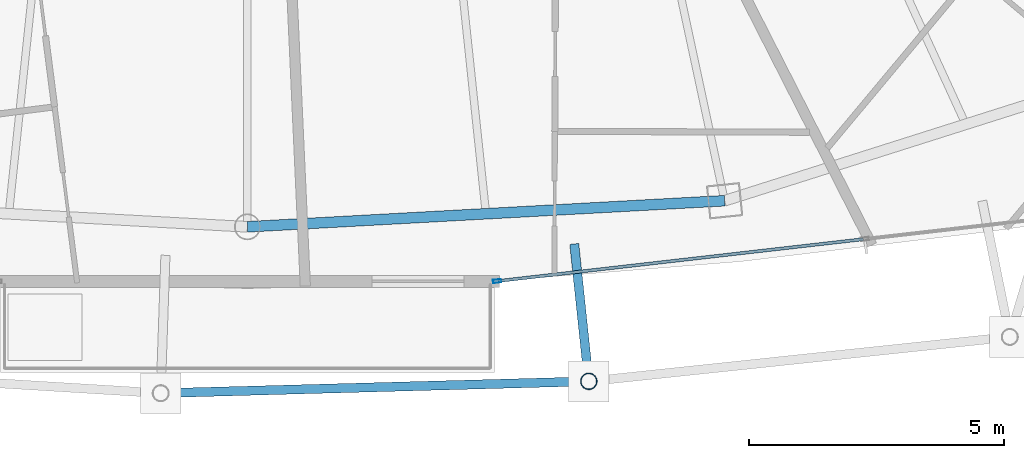
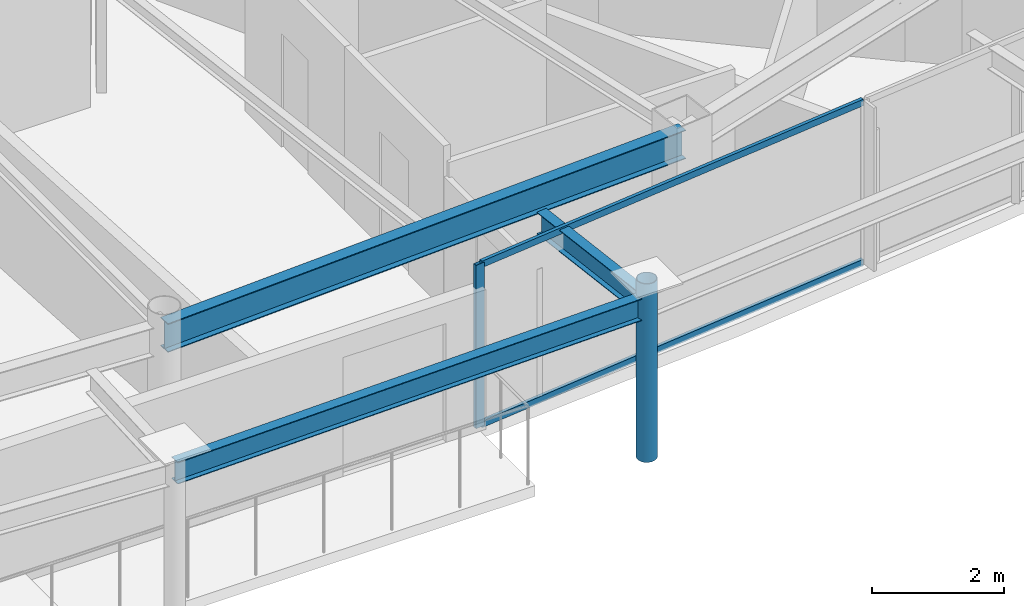
# One storey, part 8 of 30: 4 members, 3 beams, 1 element without a shape of its own.
"""IFC4 building model written with IfcOpenShell, lengths in metres."""

import ifcopenshell
import ifcopenshell.guid

model = None  # the IFC model being written
_history = None  # IfcOwnerHistory: only IFC2X3 demands one
_inside = {}  # id of a spatial element -> (the spatial element, [elements in it])
_under = {}  # id of a project, library or spatial element -> (it, [spatial elements below it])
_declared = {}  # id of a project -> (the project, [libraries it declares])
_typed = {}  # id of a type object -> (the type object, [elements of that type])
_made_of = {}  # id of a material, layer set ... -> (it, [elements and type objects made of it])


def new_model(schema):
    """Start an empty IFC model of exactly this schema.

    Asked for "IFC4X3", IfcOpenShell would pick the latest addendum, in which some entities
    have other attributes; the version numbers below select the first issue.
    IFC2X3 requires an IfcOwnerHistory on every rooted entity: one is made here for all.
    """
    global model, _history
    if schema == "IFC4X3":
        model = ifcopenshell.file(schema_version=(4, 3, 0, 0))
    else:
        model = ifcopenshell.file(schema=schema)
    _inside.clear()
    _under.clear()
    _declared.clear()
    _typed.clear()
    _made_of.clear()
    _history = None
    if model.schema == "IFC2X3":
        org = make("IfcOrganization", Name="unknown")
        user = make(
            "IfcPersonAndOrganization",
            ThePerson=make("IfcPerson", FamilyName="unknown"),
            TheOrganization=org,
        )
        app = make(
            "IfcApplication",
            ApplicationDeveloper=org,
            Version="unknown",
            ApplicationFullName="unknown",
            ApplicationIdentifier="unknown",
        )
        _history = make(
            "IfcOwnerHistory",
            OwningUser=user,
            OwningApplication=app,
            ChangeAction="ADDED",
            CreationDate=0,
        )
    return model


def make(cls, **values):
    """One entity of the class cls with the attributes given. An attribute that is None is left unset."""
    return model.create_entity(
        cls, **{name: value for name, value in values.items() if value is not None}
    )


def rooted(cls, **values):
    """An entity with a GlobalId (a new one), such as an element, a storey or a relation."""
    return make(cls, GlobalId=ifcopenshell.guid.new(), OwnerHistory=_history, **values)


def si_unit(unit_type, name, prefix=None):
    """IfcSIUnit, for example si_unit("LENGTHUNIT", "METRE", prefix="MILLI")."""
    return make("IfcSIUnit", UnitType=unit_type, Prefix=prefix, Name=name)


def assignment(units):
    """IfcUnitAssignment: the units of a project."""
    return None if units is None else make("IfcUnitAssignment", Units=units)


def point(xyz):
    """IfcCartesianPoint."""
    return None if xyz is None else make("IfcCartesianPoint", Coordinates=xyz)


def direction(xyz):
    """IfcDirection."""
    return None if xyz is None else make("IfcDirection", DirectionRatios=xyz)


def frame(location, z_axis=None, x_axis=None):
    """IfcAxis2Placement3D, a coordinate frame: its origin and axes. An axis left out is left unset."""
    return make(
        "IfcAxis2Placement3D",
        Location=point(location),
        Axis=direction(z_axis),
        RefDirection=direction(x_axis),
    )


def frame_2d(location, x_axis=None):
    """IfcAxis2Placement2D, a coordinate frame in the plane: its origin and x axis."""
    return make(
        "IfcAxis2Placement2D", Location=point(location), RefDirection=direction(x_axis)
    )


def origin():
    """The frame at (0, 0, 0) with its axes left unset."""
    return frame((0.0, 0.0, 0.0))


def origin_2d():
    """The frame at (0, 0) in the plane with its x axis left unset."""
    return frame_2d((0.0, 0.0))


def place(relative_to, where):
    """IfcLocalPlacement: puts the frame where relative to a parent placement (None: the world)."""
    return make(
        "IfcLocalPlacement", PlacementRelTo=relative_to, RelativePlacement=where
    )


def context(
    kind, dimensions, precision=None, world=None, true_north=None, identifier=None
):
    """IfcGeometricRepresentationContext, for example the 3D "Model" context."""
    return make(
        "IfcGeometricRepresentationContext",
        ContextIdentifier=identifier,
        ContextType=kind,
        CoordinateSpaceDimension=dimensions,
        Precision=precision,
        WorldCoordinateSystem=world,
        TrueNorth=true_north,
    )


def subcontext(parent, identifier, kind, view, scale=None):
    """IfcGeometricRepresentationSubContext, for example "Body" below "Model"."""
    return make(
        "IfcGeometricRepresentationSubContext",
        ContextIdentifier=identifier,
        ContextType=kind,
        ParentContext=parent,
        TargetScale=scale,
        TargetView=view,
    )


def project(units=None, contexts=None):
    """IfcProject with its units and contexts."""
    return rooted(
        "IfcProject",
        Name="project",
        RepresentationContexts=contexts,
        UnitsInContext=assignment(units),
    )


def spatial(cls, under=None, at=None, **own):
    """A site, building, storey or space (cls), placed at a placement, below another one or the project."""
    s = rooted(cls, ObjectPlacement=at, **own)
    if under is not None:
        _under.setdefault(under.id(), (under, []))[1].append(s)
    return s


def profile(cls, at=None, kind="AREA", **sizes):
    """A parametric profile (cls). Its sizes go by their IFC names, for example OverallWidth=200.0."""
    return make(cls, ProfileType=kind, Position=at, **sizes)


def hollow_rectangle(**sizes):
    """IfcRectangleHollowProfileDef."""
    return profile("IfcRectangleHollowProfileDef", **sizes)


def hollow_circle(**sizes):
    """IfcCircleHollowProfileDef."""
    return profile("IfcCircleHollowProfileDef", **sizes)


def i_section(**sizes):
    """IfcIShapeProfileDef."""
    return profile("IfcIShapeProfileDef", **sizes)


def extrude(swept, where, along, depth):
    """IfcExtrudedAreaSolid: the profile swept, set in the frame where, extruded along a direction by depth."""
    return make(
        "IfcExtrudedAreaSolid",
        SweptArea=swept,
        Position=where,
        ExtrudedDirection=direction(along),
        Depth=depth,
    )


def shape(context_of_items, identifier, shape_type, items):
    """IfcShapeRepresentation: the items that make up one representation, for example the "Body"."""
    return make(
        "IfcShapeRepresentation",
        ContextOfItems=context_of_items,
        RepresentationIdentifier=identifier,
        RepresentationType=shape_type,
        Items=items,
    )


def material(Name=None, Category=None):
    """IfcMaterial."""
    return make("IfcMaterial", Name=Name, Category=Category)


def layer(
    of_material, thickness, ventilated=None, Name=None, Category=None, Priority=None
):
    """IfcMaterialLayer: one layer of a wall or slab, of a material (None: an air gap)."""
    return make(
        "IfcMaterialLayer",
        Material=of_material,
        LayerThickness=thickness,
        IsVentilated=ventilated,
        Name=Name,
        Category=Category,
        Priority=Priority,
    )


def layer_set(layers, Name=None):
    """IfcMaterialLayerSet."""
    return make("IfcMaterialLayerSet", MaterialLayers=layers, LayerSetName=Name)


def material_profile(
    of_material, cross_section, Name=None, Category=None, Priority=None
):
    """IfcMaterialProfile: a cross section and its material."""
    return make(
        "IfcMaterialProfile",
        Name=Name,
        Material=of_material,
        Profile=cross_section,
        Priority=Priority,
        Category=Category,
    )


def profile_set(profiles, Name=None, composite=None):
    """IfcMaterialProfileSet."""
    return make(
        "IfcMaterialProfileSet",
        Name=Name,
        MaterialProfiles=profiles,
        CompositeProfile=composite,
    )


def made_of(thing, what):
    """Note that an element or type object is made of a material, layer set ...; save() writes the relation."""
    if what is not None:
        _made_of.setdefault(what.id(), (what, []))[1].append(thing)
    return thing


def type_object(cls, material=None, **own):
    """A type object (cls), such as IfcWallType, which elements share."""
    return made_of(rooted(cls, **own), material)


def element(
    cls,
    number,
    at=None,
    inside=None,
    cuts=None,
    type_object=None,
    material=None,
    context=None,
    identifier="Body",
    shape_type=None,
    held_by="IfcProductDefinitionShape",
    body=None,
    shapes=None,
    **own,
):
    """One element of the class cls, such as IfcWall. Its Tag is "e" and its number.

    at: its placement. inside: the storey or other place that contains it. cuts: it is an
    opening in that element (IfcRelVoidsElement). A single representation is given by context,
    identifier, shape_type and body (its items); several are given by shapes. held_by: the class
    of the entity that holds the representations. save() writes the other relations.
    """
    e = rooted(cls, Tag="e%d" % number, ObjectPlacement=at, **own)
    if body is not None:
        shapes = [shape(context, identifier, shape_type, body)]
    if shapes is not None:
        e.Representation = make(held_by, Representations=shapes)
    if inside is not None:
        _inside.setdefault(inside.id(), (inside, []))[1].append(e)
    if cuts is not None:
        rooted(
            "IfcRelVoidsElement", RelatingBuildingElement=cuts, RelatedOpeningElement=e
        )
    if type_object is not None:
        _typed.setdefault(type_object.id(), (type_object, []))[1].append(e)
    return made_of(e, material)


def aggregate(whole, parts):
    """IfcRelAggregates: a whole, such as a stair, and the parts it consists of."""
    return rooted("IfcRelAggregates", RelatingObject=whole, RelatedObjects=parts)


def save(model, path):
    """Write the relations noted so far, then the file.

    IfcRelAggregates (storeys below a building ...), IfcRelContainedInSpatialStructure (elements
    in a storey), IfcRelDefinesByType, IfcRelAssociatesMaterial and IfcRelDeclares: one each for
    every whole, place, type object, material and project.
    """
    for whole, parts in _under.values():
        aggregate(whole, parts)
    for where, things in _inside.values():
        rooted(
            "IfcRelContainedInSpatialStructure",
            RelatedElements=things,
            RelatingStructure=where,
        )
    for kind, things in _typed.values():
        rooted("IfcRelDefinesByType", RelatedObjects=things, RelatingType=kind)
    for what, things in _made_of.values():
        rooted("IfcRelAssociatesMaterial", RelatedObjects=things, RelatingMaterial=what)
    for by, libraries in _declared.values():
        rooted("IfcRelDeclares", RelatingContext=by, RelatedDefinitions=libraries)
    model.write(path)


model = new_model("IFC4")

# Units and contexts
model_context = context("Model", 3, precision=1e-05, world=origin(), true_north=direction((0.0, 1.0)))
body_context = subcontext(model_context, "Body", "Model", "MODEL_VIEW")
ifc_project = project(units=[si_unit("LENGTHUNIT", "METRE"), si_unit("AREAUNIT", "SQUARE_METRE"), si_unit("VOLUMEUNIT", "CUBIC_METRE"), si_unit("PLANEANGLEUNIT", "RADIAN"), si_unit("MASSUNIT", "GRAM", prefix="KILO")], contexts=[model_context])

# Site, building, storey
site_placement = place(None, origin())
site = spatial("IfcSite", under=ifc_project, at=site_placement, CompositionType="ELEMENT")
building_placement = place(site_placement, origin())
building = spatial("IfcBuilding", under=site, at=building_placement, Name="Orvanel Arch Residences", CompositionType="ELEMENT")
storey_placement = place(building_placement, frame((0.0, 0.0, 273.35009765625)))
storey = spatial("IfcBuildingStorey", under=building, at=storey_placement, Name="L78", CompositionType="ELEMENT", Elevation=273.35009765625)

# Curtain wall, member
ifc_material_1 = material(Name="Bronze-anodised aluminium AA6063-T6", Category="aluminium")
ifc_layer = layer(ifc_material_1, 0.175048828125)
ifc_layer_set = layer_set([ifc_layer], Name="Bronze-anodised aluminium AA6063-T6")
curtain_wall_type = type_object("IfcCurtainWallType", Name="CW4-HI-SYS", PredefinedType="NOTDEFINED", material=ifc_layer_set)
curtain_wall_placement = place(storey_placement, origin())
curtain_wall = element("IfcCurtainWall", 1, at=curtain_wall_placement, inside=storey, type_object=curtain_wall_type, Name="L78 CW4-HI-SYS Unitised Curtain Wall", PredefinedType="NOTDEFINED")
ifc_material_profile_1 = material_profile(ifc_material_1, hollow_rectangle(XDim=0.06494140625, YDim=0.159912109375, WallThickness=0.00390625, at=origin_2d()), Name="ALU160x65x4")
ifc_profile_set_1 = profile_set([ifc_material_profile_1], Name="Bronze-anodised aluminium AA6063-T6")
member_type_1 = type_object("IfcMemberType", Name="MUL-160x65", PredefinedType="MULLION", material=ifc_profile_set_1)
member_1_placement = place(storey_placement, frame((37.892333984375, 5.77978515625, 0.0), z_axis=(0.0, 0.0, 1.0), x_axis=(-0.113751693375, 0.993509210956, 0.0)))
member_1 = element("IfcMember", 2, at=member_1_placement, type_object=member_type_1, Name="CW-S4 mullion 1", PredefinedType="MULLION", context=body_context, shape_type="SweptSolid", body=[
    extrude(hollow_rectangle(XDim=0.06494140625, YDim=0.159912109375, WallThickness=0.00390625, at=origin_2d()), origin(), (0.0, 0.0, 1.0), 3.02001953125),
])

# Beams
ifc_material_2 = material(Name="Structural steel AS/NZS 3679.1 Grade 300 (300 MPa)", Category="steel")
ifc_material_profile_2 = material_profile(ifc_material_2, i_section(OverallWidth=0.177978515625, OverallDepth=0.406005859375, WebThickness=0.0078125, FlangeThickness=0.0126953125, at=origin_2d()), Name="410UB59.7")
ifc_profile_set_2 = profile_set([ifc_material_profile_2], Name="Structural steel AS/NZS 3679.1 Grade 300 (300 MPa)")
beam_type_1 = type_object("IfcBeamType", Name="OB-410UB-EXT", PredefinedType="SPANDREL", material=ifc_profile_set_2)
beam_1_placement = place(storey_placement, frame((31.301025390625, 3.583984375, 2.81689453125), z_axis=(0.999618023421, 0.027637063015, 0.0), x_axis=(-0.027637063015, 0.999618023421, 0.0)))
element("IfcBeam", 3, at=beam_1_placement, inside=storey, type_object=beam_type_1, Name="L78 Outer Perimeter Floor Ring Beam 06", PredefinedType="SPANDREL", context=body_context, shape_type="SweptSolid", body=[
    extrude(i_section(OverallWidth=0.177978515625, OverallDepth=0.406005859375, WebThickness=0.0078125, FlangeThickness=0.0126953125, at=origin_2d()), origin(), (0.0, 0.0, 1.0), 8.39208984375),
])
beam_2_placement = place(storey_placement, frame((39.405029296875, 6.509033203125, 2.81689453125), z_axis=(0.105205667325, -0.994450485224, 0.0), x_axis=(0.994450485224, 0.105205667325, 0.0)))
element("IfcBeam", 4, at=beam_2_placement, inside=storey, type_object=beam_type_1, Name="L78 Outer Frame Radial Tie Beam 07", PredefinedType="SPANDREL", context=body_context, shape_type="SweptSolid", body=[
    extrude(i_section(OverallWidth=0.177978515625, OverallDepth=0.406005859375, WebThickness=0.0078125, FlangeThickness=0.0126953125, at=origin_2d()), origin(), (0.0, 0.0, 1.0), 2.708251953125),
])
ifc_material_profile_3 = material_profile(ifc_material_2, i_section(OverallWidth=0.208984375, OverallDepth=0.532958984375, WebThickness=0.01025390625, FlangeThickness=0.015625, at=origin_2d()), Name="530UB92.4")
ifc_profile_set_3 = profile_set([ifc_material_profile_3], Name="Structural steel AS/NZS 3679.1 Grade 300 (300 MPa)")
beam_type_2 = type_object("IfcBeamType", Name="SP-530UB", PredefinedType="SPANDREL", material=ifc_profile_set_3)
beam_3_placement = place(storey_placement, frame((33.0, 6.843994140625, 2.7529296875), z_axis=(0.998510315598, 0.054563262768, 0.0), x_axis=(-0.054563262768, 0.998510315598, 0.0)))
element("IfcBeam", 5, at=beam_3_placement, inside=storey, type_object=beam_type_2, Name="L78 Perimeter Spandrel Beam 04", PredefinedType="SPANDREL", context=body_context, shape_type="SweptSolid", body=[
    extrude(i_section(OverallWidth=0.208984375, OverallDepth=0.532958984375, WebThickness=0.01025390625, FlangeThickness=0.015625, at=origin_2d()), origin(), (0.0, 0.0, 1.0), 9.364990234375),
])

# Member
ifc_material_3 = material(Name="Structural steel AS/NZS 1163 C350L0 (Grade 350)", Category="steel")
ifc_material_profile_4 = material_profile(ifc_material_3, hollow_circle(Radius=0.162109375, WallThickness=0.0126953125, at=origin_2d()), Name="CHS324x12.7")
ifc_profile_set_4 = profile_set([ifc_material_profile_4], Name="Structural steel AS/NZS 1163 C350L0 (Grade 350)")
member_type_2 = type_object("IfcMemberType", Name="ST-324CHS-EXT", PredefinedType="STRUT", material=ifc_profile_set_4)
member_2_placement = place(storey_placement, frame((39.68994140625, 3.81591796875, 0.0), z_axis=(0.0, 0.0, 1.0), x_axis=(1.0, 0.0, 0.0)))
element("IfcMember", 6, at=member_2_placement, inside=storey, type_object=member_type_2, Name="L78 Outer Perimeter Frame Post 07", PredefinedType="STRUT", context=body_context, shape_type="SweptSolid", body=[
    extrude(hollow_circle(Radius=0.162109375, WallThickness=0.0126953125, at=origin_2d()), origin(), (0.0, 0.0, 1.0), 3.2998046875),
])

ifc_material_profile_5 = material_profile(ifc_material_1, hollow_rectangle(XDim=0.06005859375, YDim=0.1201171875, WallThickness=0.00341796875, at=origin_2d()), Name="ALU120x60x3.5")
ifc_profile_set_5 = profile_set([ifc_material_profile_5], Name="Bronze-anodised aluminium AA6063-T6")
member_type_3 = type_object("IfcMemberType", Name="TRN-120x60", PredefinedType="USERDEFINED", material=ifc_profile_set_5)
member_3_placement = place(storey_placement, frame((37.924560546875, 5.783447265625, 0.02978515625), z_axis=(0.99350966938, 0.11374768942, 0.0), x_axis=(-0.11374768942, 0.99350966938, 0.0)))
member_3 = element("IfcMember", 7, at=member_3_placement, type_object=member_type_3, Name="CW-S4 transom 1.1", ObjectType="TRANSOM", PredefinedType="USERDEFINED", context=body_context, shape_type="SweptSolid", body=[
    extrude(hollow_rectangle(XDim=0.06005859375, YDim=0.1201171875, WallThickness=0.00341796875, at=origin_2d()), origin(), (0.0, 0.0, 1.0), 7.190185546875),
])

member_4_placement = place(storey_placement, frame((37.924560546875, 5.783447265625, 2.989990234375), z_axis=(0.99350966938, 0.11374768942, 0.0), x_axis=(-0.11374768942, 0.99350966938, 0.0)))
member_4 = element("IfcMember", 8, at=member_4_placement, type_object=member_type_3, Name="CW-S4 transom 1.2", ObjectType="TRANSOM", PredefinedType="USERDEFINED", context=body_context, shape_type="SweptSolid", body=[
    extrude(hollow_rectangle(XDim=0.06005859375, YDim=0.1201171875, WallThickness=0.00341796875, at=origin_2d()), origin(), (0.0, 0.0, 1.0), 7.190185546875),
])

aggregate(curtain_wall, [member_1, member_3, member_4])

save(model, "model.ifc")
